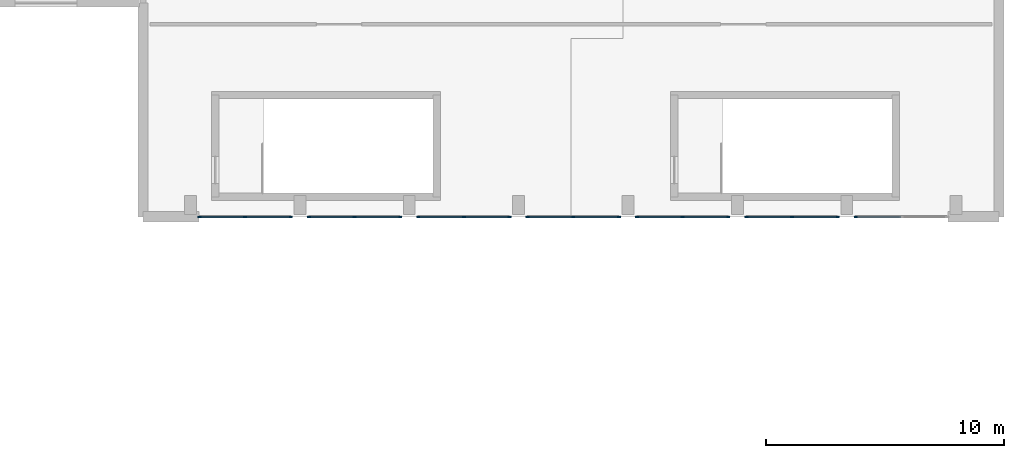
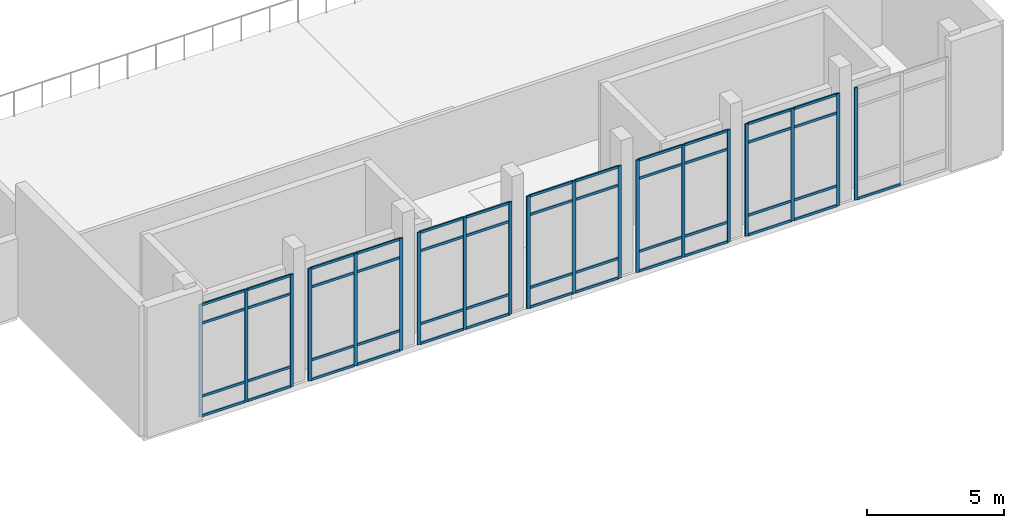
# One storey, part 23 of 54: 68 members, 7 elements without a shape of their own.
"""IFC4 building model written with IfcOpenShell, lengths in metres."""

from ifc_helpers import new_model, si_unit, direction, frame, origin, origin_2d, place, context, subcontext, project, spatial, rectangle, extrude, material, layer, layer_set, material_profile, profile_set, type_object, element, aggregate, save


model = new_model("IFC4")

# Units and contexts
model_context = context("Model", 3, precision=1e-05, world=origin(), true_north=direction((0.0, 1.0)))
body_context = subcontext(model_context, "Body", "Model", "MODEL_VIEW")
ifc_project = project(units=[si_unit("LENGTHUNIT", "METRE"), si_unit("AREAUNIT", "SQUARE_METRE"), si_unit("VOLUMEUNIT", "CUBIC_METRE"), si_unit("PLANEANGLEUNIT", "RADIAN"), si_unit("MASSUNIT", "GRAM", prefix="KILO")], contexts=[model_context])

# Site, building, storey
site_placement = place(None, origin())
site = spatial("IfcSite", under=ifc_project, at=site_placement, CompositionType="ELEMENT")
building_placement = place(site_placement, origin())
building = spatial("IfcBuilding", under=site, at=building_placement, Name="Tlacozan Convention Centre", CompositionType="ELEMENT")
storey_placement = place(building_placement, frame((0.0, 0.0, 11.39990234375)))
storey = spatial("IfcBuildingStorey", under=building, at=storey_placement, Name="L02", CompositionType="ELEMENT", Elevation=11.39990234375)

# Curtain wall, members
ifc_material = material(Name="Dark Bronze Anodised Aluminium", Category="aluminium")
ifc_layer = layer(ifc_material, 0.139892578125)
ifc_layer_set = layer_set([ifc_layer], Name="Dark Bronze Anodised Aluminium")
curtain_wall_type = type_object("IfcCurtainWallType", Name="Plenary Foyer L02 Curtain Wall CW12", PredefinedType="NOTDEFINED", material=ifc_layer_set)
curtain_wall_1_placement = place(storey_placement, origin())
curtain_wall_1 = element("IfcCurtainWall", 1, at=curtain_wall_1_placement, inside=storey, type_object=curtain_wall_type, Name="L02 CW-12 Run 142", PredefinedType="NOTDEFINED")
ifc_material_profile_1 = material_profile(ifc_material, rectangle(XDim=0.06005859375, YDim=0.139892578125, at=origin_2d()), Name="ALU 60x140")
ifc_profile_set_1 = profile_set([ifc_material_profile_1], Name="Dark Bronze Anodised Aluminium")
member_type_1 = type_object("IfcMemberType", Name="Curtain Wall Light Mullion 60x140", PredefinedType="MULLION", material=ifc_profile_set_1)
member_1_placement = place(storey_placement, frame((146.3798828125, 18.0, 0.0), z_axis=(0.0, 0.0, 1.0), x_axis=(0.0, 1.0, 0.0)))
member_1 = element("IfcMember", 2, at=member_1_placement, type_object=member_type_1, Name="CW-12 mullion 1", PredefinedType="MULLION", context=body_context, shape_type="SweptSolid", body=[
    extrude(rectangle(XDim=0.06005859375, YDim=0.139892578125, at=origin_2d()), origin(), (0.0, 0.0, 1.0), 5.0),
])
member_2_placement = place(storey_placement, frame((148.300048828125, 18.0, 0.0), z_axis=(0.0, 0.0, 1.0), x_axis=(0.0, 1.0, 0.0)))
member_2 = element("IfcMember", 3, at=member_2_placement, type_object=member_type_1, Name="CW-12 mullion 2", PredefinedType="MULLION", context=body_context, shape_type="SweptSolid", body=[
    extrude(rectangle(XDim=0.06005859375, YDim=0.139892578125, at=origin_2d()), origin(), (0.0, 0.0, 1.0), 5.0),
])
member_3_placement = place(storey_placement, frame((150.219970703125, 18.0, 0.0), z_axis=(0.0, 0.0, 1.0), x_axis=(0.0, 1.0, 0.0)))
member_3 = element("IfcMember", 4, at=member_3_placement, type_object=member_type_1, Name="CW-12 mullion 3", PredefinedType="MULLION", context=body_context, shape_type="SweptSolid", body=[
    extrude(rectangle(XDim=0.06005859375, YDim=0.139892578125, at=origin_2d()), origin(), (0.0, 0.0, 1.0), 5.0),
])

curtain_wall_2_placement = place(storey_placement, origin())
curtain_wall_2 = element("IfcCurtainWall", 5, at=curtain_wall_2_placement, inside=storey, type_object=curtain_wall_type, Name="L02 CW-12 Run 144", PredefinedType="NOTDEFINED")
member_4_placement = place(storey_placement, frame((150.97998046875, 18.0, 0.0), z_axis=(0.0, 0.0, 1.0), x_axis=(0.0, 1.0, 0.0)))
member_4 = element("IfcMember", 6, at=member_4_placement, type_object=member_type_1, Name="CW-12 mullion 1", PredefinedType="MULLION", context=body_context, shape_type="SweptSolid", body=[
    extrude(rectangle(XDim=0.06005859375, YDim=0.139892578125, at=origin_2d()), origin(), (0.0, 0.0, 1.0), 5.0),
])
member_5_placement = place(storey_placement, frame((152.89990234375, 18.0, 0.0), z_axis=(0.0, 0.0, 1.0), x_axis=(0.0, 1.0, 0.0)))
member_5 = element("IfcMember", 7, at=member_5_placement, type_object=member_type_1, Name="CW-12 mullion 2", PredefinedType="MULLION", context=body_context, shape_type="SweptSolid", body=[
    extrude(rectangle(XDim=0.06005859375, YDim=0.139892578125, at=origin_2d()), origin(), (0.0, 0.0, 1.0), 5.0),
])
member_6_placement = place(storey_placement, frame((154.820068359375, 18.0, 0.0), z_axis=(0.0, 0.0, 1.0), x_axis=(0.0, 1.0, 0.0)))
member_6 = element("IfcMember", 8, at=member_6_placement, type_object=member_type_1, Name="CW-12 mullion 3", PredefinedType="MULLION", context=body_context, shape_type="SweptSolid", body=[
    extrude(rectangle(XDim=0.06005859375, YDim=0.139892578125, at=origin_2d()), origin(), (0.0, 0.0, 1.0), 5.0),
])

curtain_wall_3_placement = place(storey_placement, origin())
curtain_wall_3 = element("IfcCurtainWall", 9, at=curtain_wall_3_placement, inside=storey, type_object=curtain_wall_type, Name="L02 CW-12 Run 146", PredefinedType="NOTDEFINED")
member_7_placement = place(storey_placement, frame((155.580078125, 18.0, 0.0), z_axis=(0.0, 0.0, 1.0), x_axis=(0.0, 1.0, 0.0)))
member_7 = element("IfcMember", 10, at=member_7_placement, type_object=member_type_1, Name="CW-12 mullion 1", PredefinedType="MULLION", context=body_context, shape_type="SweptSolid", body=[
    extrude(rectangle(XDim=0.06005859375, YDim=0.139892578125, at=origin_2d()), origin(), (0.0, 0.0, 1.0), 5.0),
])
member_8_placement = place(storey_placement, frame((157.5, 18.0, 0.0), z_axis=(0.0, 0.0, 1.0), x_axis=(0.0, 1.0, 0.0)))
member_8 = element("IfcMember", 11, at=member_8_placement, type_object=member_type_1, Name="CW-12 mullion 2", PredefinedType="MULLION", context=body_context, shape_type="SweptSolid", body=[
    extrude(rectangle(XDim=0.06005859375, YDim=0.139892578125, at=origin_2d()), origin(), (0.0, 0.0, 1.0), 5.0),
])
member_9_placement = place(storey_placement, frame((159.419921875, 18.0, 0.0), z_axis=(0.0, 0.0, 1.0), x_axis=(0.0, 1.0, 0.0)))
member_9 = element("IfcMember", 12, at=member_9_placement, type_object=member_type_1, Name="CW-12 mullion 3", PredefinedType="MULLION", context=body_context, shape_type="SweptSolid", body=[
    extrude(rectangle(XDim=0.06005859375, YDim=0.139892578125, at=origin_2d()), origin(), (0.0, 0.0, 1.0), 5.0),
])

curtain_wall_4_placement = place(storey_placement, origin())
curtain_wall_4 = element("IfcCurtainWall", 13, at=curtain_wall_4_placement, inside=storey, type_object=curtain_wall_type, Name="L02 CW-12 Run 148", PredefinedType="NOTDEFINED")
member_10_placement = place(storey_placement, frame((160.179931640625, 18.0, 0.0), z_axis=(0.0, 0.0, 1.0), x_axis=(0.0, 1.0, 0.0)))
member_10 = element("IfcMember", 14, at=member_10_placement, type_object=member_type_1, Name="CW-12 mullion 1", PredefinedType="MULLION", context=body_context, shape_type="SweptSolid", body=[
    extrude(rectangle(XDim=0.06005859375, YDim=0.139892578125, at=origin_2d()), origin(), (0.0, 0.0, 1.0), 5.0),
])
member_11_placement = place(storey_placement, frame((162.10009765625, 18.0, 0.0), z_axis=(0.0, 0.0, 1.0), x_axis=(0.0, 1.0, 0.0)))
member_11 = element("IfcMember", 15, at=member_11_placement, type_object=member_type_1, Name="CW-12 mullion 2", PredefinedType="MULLION", context=body_context, shape_type="SweptSolid", body=[
    extrude(rectangle(XDim=0.06005859375, YDim=0.139892578125, at=origin_2d()), origin(), (0.0, 0.0, 1.0), 5.0),
])
member_12_placement = place(storey_placement, frame((164.02001953125, 18.0, 0.0), z_axis=(0.0, 0.0, 1.0), x_axis=(0.0, 1.0, 0.0)))
member_12 = element("IfcMember", 16, at=member_12_placement, type_object=member_type_1, Name="CW-12 mullion 3", PredefinedType="MULLION", context=body_context, shape_type="SweptSolid", body=[
    extrude(rectangle(XDim=0.06005859375, YDim=0.139892578125, at=origin_2d()), origin(), (0.0, 0.0, 1.0), 5.0),
])

curtain_wall_5_placement = place(storey_placement, origin())
curtain_wall_5 = element("IfcCurtainWall", 17, at=curtain_wall_5_placement, inside=storey, type_object=curtain_wall_type, Name="L02 CW-12 Run 150", PredefinedType="NOTDEFINED")
member_13_placement = place(storey_placement, frame((164.780029296875, 18.0, 0.0), z_axis=(0.0, 0.0, 1.0), x_axis=(0.0, 1.0, 0.0)))
member_13 = element("IfcMember", 18, at=member_13_placement, type_object=member_type_1, Name="CW-12 mullion 1", PredefinedType="MULLION", context=body_context, shape_type="SweptSolid", body=[
    extrude(rectangle(XDim=0.06005859375, YDim=0.139892578125, at=origin_2d()), origin(), (0.0, 0.0, 1.0), 5.0),
])
member_14_placement = place(storey_placement, frame((166.699951171875, 18.0, 0.0), z_axis=(0.0, 0.0, 1.0), x_axis=(0.0, 1.0, 0.0)))
member_14 = element("IfcMember", 19, at=member_14_placement, type_object=member_type_1, Name="CW-12 mullion 2", PredefinedType="MULLION", context=body_context, shape_type="SweptSolid", body=[
    extrude(rectangle(XDim=0.06005859375, YDim=0.139892578125, at=origin_2d()), origin(), (0.0, 0.0, 1.0), 5.0),
])
member_15_placement = place(storey_placement, frame((168.6201171875, 18.0, 0.0), z_axis=(0.0, 0.0, 1.0), x_axis=(0.0, 1.0, 0.0)))
member_15 = element("IfcMember", 20, at=member_15_placement, type_object=member_type_1, Name="CW-12 mullion 3", PredefinedType="MULLION", context=body_context, shape_type="SweptSolid", body=[
    extrude(rectangle(XDim=0.06005859375, YDim=0.139892578125, at=origin_2d()), origin(), (0.0, 0.0, 1.0), 5.0),
])

curtain_wall_6_placement = place(storey_placement, origin())
curtain_wall_6 = element("IfcCurtainWall", 21, at=curtain_wall_6_placement, inside=storey, type_object=curtain_wall_type, Name="L02 CW-12 Run 152", PredefinedType="NOTDEFINED")
member_16_placement = place(storey_placement, frame((169.3798828125, 18.0, 0.0), z_axis=(0.0, 0.0, 1.0), x_axis=(0.0, 1.0, 0.0)))
member_16 = element("IfcMember", 22, at=member_16_placement, type_object=member_type_1, Name="CW-12 mullion 1", PredefinedType="MULLION", context=body_context, shape_type="SweptSolid", body=[
    extrude(rectangle(XDim=0.06005859375, YDim=0.139892578125, at=origin_2d()), origin(), (0.0, 0.0, 1.0), 5.0),
])
member_17_placement = place(storey_placement, frame((171.300048828125, 18.0, 0.0), z_axis=(0.0, 0.0, 1.0), x_axis=(0.0, 1.0, 0.0)))
member_17 = element("IfcMember", 23, at=member_17_placement, type_object=member_type_1, Name="CW-12 mullion 2", PredefinedType="MULLION", context=body_context, shape_type="SweptSolid", body=[
    extrude(rectangle(XDim=0.06005859375, YDim=0.139892578125, at=origin_2d()), origin(), (0.0, 0.0, 1.0), 5.0),
])
member_18_placement = place(storey_placement, frame((173.219970703125, 18.0, 0.0), z_axis=(0.0, 0.0, 1.0), x_axis=(0.0, 1.0, 0.0)))
member_18 = element("IfcMember", 24, at=member_18_placement, type_object=member_type_1, Name="CW-12 mullion 3", PredefinedType="MULLION", context=body_context, shape_type="SweptSolid", body=[
    extrude(rectangle(XDim=0.06005859375, YDim=0.139892578125, at=origin_2d()), origin(), (0.0, 0.0, 1.0), 5.0),
])

# Curtain wall, member
curtain_wall_7_placement = place(storey_placement, origin())
curtain_wall_7 = element("IfcCurtainWall", 25, at=curtain_wall_7_placement, inside=storey, type_object=curtain_wall_type, Name="L02 CW-12 Run 154", PredefinedType="NOTDEFINED")
member_19_placement = place(storey_placement, frame((173.97998046875, 18.0, 0.0), z_axis=(0.0, 0.0, 1.0), x_axis=(0.0, 1.0, 0.0)))
member_19 = element("IfcMember", 26, at=member_19_placement, type_object=member_type_1, Name="CW-12 mullion 1", PredefinedType="MULLION", context=body_context, shape_type="SweptSolid", body=[
    extrude(rectangle(XDim=0.06005859375, YDim=0.139892578125, at=origin_2d()), origin(), (0.0, 0.0, 1.0), 5.0),
])

# Member
ifc_material_profile_2 = material_profile(ifc_material, rectangle(XDim=0.06005859375, YDim=0.110107421875, at=origin_2d()), Name="ALU 60x110")
ifc_profile_set_2 = profile_set([ifc_material_profile_2], Name="Dark Bronze Anodised Aluminium")
member_type_2 = type_object("IfcMemberType", Name="Curtain Wall Light Transom 60x110", PredefinedType="USERDEFINED", material=ifc_profile_set_2)
member_20_placement = place(storey_placement, frame((146.409912109375, 18.0, 0.030029296875), z_axis=(1.0, 0.0, 0.0), x_axis=(0.0, 1.0, 0.0)))
member_20 = element("IfcMember", 27, at=member_20_placement, type_object=member_type_2, Name="CW-12 transom 1.1", ObjectType="TRANSOM", PredefinedType="USERDEFINED", context=body_context, shape_type="SweptSolid", body=[
    extrude(rectangle(XDim=0.06005859375, YDim=0.110107421875, at=origin_2d()), origin(), (0.0, 0.0, 1.0), 1.860107421875),
])

member_21_placement = place(storey_placement, frame((146.409912109375, 18.0, 0.900146484375), z_axis=(1.0, 0.0, 0.0), x_axis=(0.0, 1.0, 0.0)))
member_21 = element("IfcMember", 28, at=member_21_placement, type_object=member_type_2, Name="CW-12 transom 1.2", ObjectType="TRANSOM", PredefinedType="USERDEFINED", context=body_context, shape_type="SweptSolid", body=[
    extrude(rectangle(XDim=0.06005859375, YDim=0.110107421875, at=origin_2d()), origin(), (0.0, 0.0, 1.0), 1.860107421875),
])

member_22_placement = place(storey_placement, frame((146.409912109375, 18.0, 4.150146484375), z_axis=(1.0, 0.0, 0.0), x_axis=(0.0, 1.0, 0.0)))
member_22 = element("IfcMember", 29, at=member_22_placement, type_object=member_type_2, Name="CW-12 transom 1.3", ObjectType="TRANSOM", PredefinedType="USERDEFINED", context=body_context, shape_type="SweptSolid", body=[
    extrude(rectangle(XDim=0.06005859375, YDim=0.110107421875, at=origin_2d()), origin(), (0.0, 0.0, 1.0), 1.860107421875),
])

member_23_placement = place(storey_placement, frame((146.409912109375, 18.0, 4.97021484375), z_axis=(1.0, 0.0, 0.0), x_axis=(0.0, 1.0, 0.0)))
member_23 = element("IfcMember", 30, at=member_23_placement, type_object=member_type_2, Name="CW-12 transom 1.4", ObjectType="TRANSOM", PredefinedType="USERDEFINED", context=body_context, shape_type="SweptSolid", body=[
    extrude(rectangle(XDim=0.06005859375, YDim=0.110107421875, at=origin_2d()), origin(), (0.0, 0.0, 1.0), 1.860107421875),
])

member_24_placement = place(storey_placement, frame((148.330078125, 18.0, 0.030029296875), z_axis=(1.0, 0.0, 0.0), x_axis=(0.0, 1.0, 0.0)))
member_24 = element("IfcMember", 31, at=member_24_placement, type_object=member_type_2, Name="CW-12 transom 2.1", ObjectType="TRANSOM", PredefinedType="USERDEFINED", context=body_context, shape_type="SweptSolid", body=[
    extrude(rectangle(XDim=0.06005859375, YDim=0.110107421875, at=origin_2d()), origin(), (0.0, 0.0, 1.0), 1.85986328125),
])

member_25_placement = place(storey_placement, frame((148.330078125, 18.0, 0.900146484375), z_axis=(1.0, 0.0, 0.0), x_axis=(0.0, 1.0, 0.0)))
member_25 = element("IfcMember", 32, at=member_25_placement, type_object=member_type_2, Name="CW-12 transom 2.2", ObjectType="TRANSOM", PredefinedType="USERDEFINED", context=body_context, shape_type="SweptSolid", body=[
    extrude(rectangle(XDim=0.06005859375, YDim=0.110107421875, at=origin_2d()), origin(), (0.0, 0.0, 1.0), 1.85986328125),
])

member_26_placement = place(storey_placement, frame((148.330078125, 18.0, 4.150146484375), z_axis=(1.0, 0.0, 0.0), x_axis=(0.0, 1.0, 0.0)))
member_26 = element("IfcMember", 33, at=member_26_placement, type_object=member_type_2, Name="CW-12 transom 2.3", ObjectType="TRANSOM", PredefinedType="USERDEFINED", context=body_context, shape_type="SweptSolid", body=[
    extrude(rectangle(XDim=0.06005859375, YDim=0.110107421875, at=origin_2d()), origin(), (0.0, 0.0, 1.0), 1.85986328125),
])

member_27_placement = place(storey_placement, frame((148.330078125, 18.0, 4.97021484375), z_axis=(1.0, 0.0, 0.0), x_axis=(0.0, 1.0, 0.0)))
member_27 = element("IfcMember", 34, at=member_27_placement, type_object=member_type_2, Name="CW-12 transom 2.4", ObjectType="TRANSOM", PredefinedType="USERDEFINED", context=body_context, shape_type="SweptSolid", body=[
    extrude(rectangle(XDim=0.06005859375, YDim=0.110107421875, at=origin_2d()), origin(), (0.0, 0.0, 1.0), 1.85986328125),
])

aggregate(curtain_wall_1, [member_1, member_2, member_3, member_20, member_21, member_22, member_23, member_24, member_25, member_26, member_27])

member_28_placement = place(storey_placement, frame((151.010009765625, 18.0, 0.030029296875), z_axis=(1.0, 0.0, 0.0), x_axis=(0.0, 1.0, 0.0)))
member_28 = element("IfcMember", 35, at=member_28_placement, type_object=member_type_2, Name="CW-12 transom 1.1", ObjectType="TRANSOM", PredefinedType="USERDEFINED", context=body_context, shape_type="SweptSolid", body=[
    extrude(rectangle(XDim=0.06005859375, YDim=0.110107421875, at=origin_2d()), origin(), (0.0, 0.0, 1.0), 1.860107421875),
])

member_29_placement = place(storey_placement, frame((151.010009765625, 18.0, 0.900146484375), z_axis=(1.0, 0.0, 0.0), x_axis=(0.0, 1.0, 0.0)))
member_29 = element("IfcMember", 36, at=member_29_placement, type_object=member_type_2, Name="CW-12 transom 1.2", ObjectType="TRANSOM", PredefinedType="USERDEFINED", context=body_context, shape_type="SweptSolid", body=[
    extrude(rectangle(XDim=0.06005859375, YDim=0.110107421875, at=origin_2d()), origin(), (0.0, 0.0, 1.0), 1.860107421875),
])

member_30_placement = place(storey_placement, frame((151.010009765625, 18.0, 4.150146484375), z_axis=(1.0, 0.0, 0.0), x_axis=(0.0, 1.0, 0.0)))
member_30 = element("IfcMember", 37, at=member_30_placement, type_object=member_type_2, Name="CW-12 transom 1.3", ObjectType="TRANSOM", PredefinedType="USERDEFINED", context=body_context, shape_type="SweptSolid", body=[
    extrude(rectangle(XDim=0.06005859375, YDim=0.110107421875, at=origin_2d()), origin(), (0.0, 0.0, 1.0), 1.860107421875),
])

member_31_placement = place(storey_placement, frame((151.010009765625, 18.0, 4.97021484375), z_axis=(1.0, 0.0, 0.0), x_axis=(0.0, 1.0, 0.0)))
member_31 = element("IfcMember", 38, at=member_31_placement, type_object=member_type_2, Name="CW-12 transom 1.4", ObjectType="TRANSOM", PredefinedType="USERDEFINED", context=body_context, shape_type="SweptSolid", body=[
    extrude(rectangle(XDim=0.06005859375, YDim=0.110107421875, at=origin_2d()), origin(), (0.0, 0.0, 1.0), 1.860107421875),
])

member_32_placement = place(storey_placement, frame((152.929931640625, 18.0, 0.030029296875), z_axis=(1.0, 0.0, 0.0), x_axis=(0.0, 1.0, 0.0)))
member_32 = element("IfcMember", 39, at=member_32_placement, type_object=member_type_2, Name="CW-12 transom 2.1", ObjectType="TRANSOM", PredefinedType="USERDEFINED", context=body_context, shape_type="SweptSolid", body=[
    extrude(rectangle(XDim=0.06005859375, YDim=0.110107421875, at=origin_2d()), origin(), (0.0, 0.0, 1.0), 1.860107421875),
])

member_33_placement = place(storey_placement, frame((152.929931640625, 18.0, 0.900146484375), z_axis=(1.0, 0.0, 0.0), x_axis=(0.0, 1.0, 0.0)))
member_33 = element("IfcMember", 40, at=member_33_placement, type_object=member_type_2, Name="CW-12 transom 2.2", ObjectType="TRANSOM", PredefinedType="USERDEFINED", context=body_context, shape_type="SweptSolid", body=[
    extrude(rectangle(XDim=0.06005859375, YDim=0.110107421875, at=origin_2d()), origin(), (0.0, 0.0, 1.0), 1.860107421875),
])

member_34_placement = place(storey_placement, frame((152.929931640625, 18.0, 4.150146484375), z_axis=(1.0, 0.0, 0.0), x_axis=(0.0, 1.0, 0.0)))
member_34 = element("IfcMember", 41, at=member_34_placement, type_object=member_type_2, Name="CW-12 transom 2.3", ObjectType="TRANSOM", PredefinedType="USERDEFINED", context=body_context, shape_type="SweptSolid", body=[
    extrude(rectangle(XDim=0.06005859375, YDim=0.110107421875, at=origin_2d()), origin(), (0.0, 0.0, 1.0), 1.860107421875),
])

member_35_placement = place(storey_placement, frame((152.929931640625, 18.0, 4.97021484375), z_axis=(1.0, 0.0, 0.0), x_axis=(0.0, 1.0, 0.0)))
member_35 = element("IfcMember", 42, at=member_35_placement, type_object=member_type_2, Name="CW-12 transom 2.4", ObjectType="TRANSOM", PredefinedType="USERDEFINED", context=body_context, shape_type="SweptSolid", body=[
    extrude(rectangle(XDim=0.06005859375, YDim=0.110107421875, at=origin_2d()), origin(), (0.0, 0.0, 1.0), 1.860107421875),
])

aggregate(curtain_wall_2, [member_4, member_5, member_6, member_28, member_29, member_30, member_31, member_32, member_33, member_34, member_35])

member_36_placement = place(storey_placement, frame((155.610107421875, 18.0, 0.030029296875), z_axis=(1.0, 0.0, 0.0), x_axis=(0.0, 1.0, 0.0)))
member_36 = element("IfcMember", 43, at=member_36_placement, type_object=member_type_2, Name="CW-12 transom 1.1", ObjectType="TRANSOM", PredefinedType="USERDEFINED", context=body_context, shape_type="SweptSolid", body=[
    extrude(rectangle(XDim=0.06005859375, YDim=0.110107421875, at=origin_2d()), origin(), (0.0, 0.0, 1.0), 1.85986328125),
])

member_37_placement = place(storey_placement, frame((155.610107421875, 18.0, 0.900146484375), z_axis=(1.0, 0.0, 0.0), x_axis=(0.0, 1.0, 0.0)))
member_37 = element("IfcMember", 44, at=member_37_placement, type_object=member_type_2, Name="CW-12 transom 1.2", ObjectType="TRANSOM", PredefinedType="USERDEFINED", context=body_context, shape_type="SweptSolid", body=[
    extrude(rectangle(XDim=0.06005859375, YDim=0.110107421875, at=origin_2d()), origin(), (0.0, 0.0, 1.0), 1.85986328125),
])

member_38_placement = place(storey_placement, frame((155.610107421875, 18.0, 4.150146484375), z_axis=(1.0, 0.0, 0.0), x_axis=(0.0, 1.0, 0.0)))
member_38 = element("IfcMember", 45, at=member_38_placement, type_object=member_type_2, Name="CW-12 transom 1.3", ObjectType="TRANSOM", PredefinedType="USERDEFINED", context=body_context, shape_type="SweptSolid", body=[
    extrude(rectangle(XDim=0.06005859375, YDim=0.110107421875, at=origin_2d()), origin(), (0.0, 0.0, 1.0), 1.85986328125),
])

member_39_placement = place(storey_placement, frame((155.610107421875, 18.0, 4.97021484375), z_axis=(1.0, 0.0, 0.0), x_axis=(0.0, 1.0, 0.0)))
member_39 = element("IfcMember", 46, at=member_39_placement, type_object=member_type_2, Name="CW-12 transom 1.4", ObjectType="TRANSOM", PredefinedType="USERDEFINED", context=body_context, shape_type="SweptSolid", body=[
    extrude(rectangle(XDim=0.06005859375, YDim=0.110107421875, at=origin_2d()), origin(), (0.0, 0.0, 1.0), 1.85986328125),
])

member_40_placement = place(storey_placement, frame((157.530029296875, 18.0, 0.030029296875), z_axis=(1.0, 0.0, 0.0), x_axis=(0.0, 1.0, 0.0)))
member_40 = element("IfcMember", 47, at=member_40_placement, type_object=member_type_2, Name="CW-12 transom 2.1", ObjectType="TRANSOM", PredefinedType="USERDEFINED", context=body_context, shape_type="SweptSolid", body=[
    extrude(rectangle(XDim=0.06005859375, YDim=0.110107421875, at=origin_2d()), origin(), (0.0, 0.0, 1.0), 1.85986328125),
])

member_41_placement = place(storey_placement, frame((157.530029296875, 18.0, 0.900146484375), z_axis=(1.0, 0.0, 0.0), x_axis=(0.0, 1.0, 0.0)))
member_41 = element("IfcMember", 48, at=member_41_placement, type_object=member_type_2, Name="CW-12 transom 2.2", ObjectType="TRANSOM", PredefinedType="USERDEFINED", context=body_context, shape_type="SweptSolid", body=[
    extrude(rectangle(XDim=0.06005859375, YDim=0.110107421875, at=origin_2d()), origin(), (0.0, 0.0, 1.0), 1.85986328125),
])

member_42_placement = place(storey_placement, frame((157.530029296875, 18.0, 4.150146484375), z_axis=(1.0, 0.0, 0.0), x_axis=(0.0, 1.0, 0.0)))
member_42 = element("IfcMember", 49, at=member_42_placement, type_object=member_type_2, Name="CW-12 transom 2.3", ObjectType="TRANSOM", PredefinedType="USERDEFINED", context=body_context, shape_type="SweptSolid", body=[
    extrude(rectangle(XDim=0.06005859375, YDim=0.110107421875, at=origin_2d()), origin(), (0.0, 0.0, 1.0), 1.85986328125),
])

member_43_placement = place(storey_placement, frame((157.530029296875, 18.0, 4.97021484375), z_axis=(1.0, 0.0, 0.0), x_axis=(0.0, 1.0, 0.0)))
member_43 = element("IfcMember", 50, at=member_43_placement, type_object=member_type_2, Name="CW-12 transom 2.4", ObjectType="TRANSOM", PredefinedType="USERDEFINED", context=body_context, shape_type="SweptSolid", body=[
    extrude(rectangle(XDim=0.06005859375, YDim=0.110107421875, at=origin_2d()), origin(), (0.0, 0.0, 1.0), 1.85986328125),
])

aggregate(curtain_wall_3, [member_7, member_8, member_9, member_36, member_37, member_38, member_39, member_40, member_41, member_42, member_43])

member_44_placement = place(storey_placement, frame((160.2099609375, 18.0, 0.030029296875), z_axis=(1.0, 0.0, 0.0), x_axis=(0.0, 1.0, 0.0)))
member_44 = element("IfcMember", 51, at=member_44_placement, type_object=member_type_2, Name="CW-12 transom 1.1", ObjectType="TRANSOM", PredefinedType="USERDEFINED", context=body_context, shape_type="SweptSolid", body=[
    extrude(rectangle(XDim=0.06005859375, YDim=0.110107421875, at=origin_2d()), origin(), (0.0, 0.0, 1.0), 1.860107421875),
])

member_45_placement = place(storey_placement, frame((160.2099609375, 18.0, 0.900146484375), z_axis=(1.0, 0.0, 0.0), x_axis=(0.0, 1.0, 0.0)))
member_45 = element("IfcMember", 52, at=member_45_placement, type_object=member_type_2, Name="CW-12 transom 1.2", ObjectType="TRANSOM", PredefinedType="USERDEFINED", context=body_context, shape_type="SweptSolid", body=[
    extrude(rectangle(XDim=0.06005859375, YDim=0.110107421875, at=origin_2d()), origin(), (0.0, 0.0, 1.0), 1.860107421875),
])

member_46_placement = place(storey_placement, frame((160.2099609375, 18.0, 4.150146484375), z_axis=(1.0, 0.0, 0.0), x_axis=(0.0, 1.0, 0.0)))
member_46 = element("IfcMember", 53, at=member_46_placement, type_object=member_type_2, Name="CW-12 transom 1.3", ObjectType="TRANSOM", PredefinedType="USERDEFINED", context=body_context, shape_type="SweptSolid", body=[
    extrude(rectangle(XDim=0.06005859375, YDim=0.110107421875, at=origin_2d()), origin(), (0.0, 0.0, 1.0), 1.860107421875),
])

member_47_placement = place(storey_placement, frame((160.2099609375, 18.0, 4.97021484375), z_axis=(1.0, 0.0, 0.0), x_axis=(0.0, 1.0, 0.0)))
member_47 = element("IfcMember", 54, at=member_47_placement, type_object=member_type_2, Name="CW-12 transom 1.4", ObjectType="TRANSOM", PredefinedType="USERDEFINED", context=body_context, shape_type="SweptSolid", body=[
    extrude(rectangle(XDim=0.06005859375, YDim=0.110107421875, at=origin_2d()), origin(), (0.0, 0.0, 1.0), 1.860107421875),
])

member_48_placement = place(storey_placement, frame((162.1298828125, 18.0, 0.030029296875), z_axis=(1.0, 0.0, 0.0), x_axis=(0.0, 1.0, 0.0)))
member_48 = element("IfcMember", 55, at=member_48_placement, type_object=member_type_2, Name="CW-12 transom 2.1", ObjectType="TRANSOM", PredefinedType="USERDEFINED", context=body_context, shape_type="SweptSolid", body=[
    extrude(rectangle(XDim=0.06005859375, YDim=0.110107421875, at=origin_2d()), origin(), (0.0, 0.0, 1.0), 1.860107421875),
])

member_49_placement = place(storey_placement, frame((162.1298828125, 18.0, 0.900146484375), z_axis=(1.0, 0.0, 0.0), x_axis=(0.0, 1.0, 0.0)))
member_49 = element("IfcMember", 56, at=member_49_placement, type_object=member_type_2, Name="CW-12 transom 2.2", ObjectType="TRANSOM", PredefinedType="USERDEFINED", context=body_context, shape_type="SweptSolid", body=[
    extrude(rectangle(XDim=0.06005859375, YDim=0.110107421875, at=origin_2d()), origin(), (0.0, 0.0, 1.0), 1.860107421875),
])

member_50_placement = place(storey_placement, frame((162.1298828125, 18.0, 4.150146484375), z_axis=(1.0, 0.0, 0.0), x_axis=(0.0, 1.0, 0.0)))
member_50 = element("IfcMember", 57, at=member_50_placement, type_object=member_type_2, Name="CW-12 transom 2.3", ObjectType="TRANSOM", PredefinedType="USERDEFINED", context=body_context, shape_type="SweptSolid", body=[
    extrude(rectangle(XDim=0.06005859375, YDim=0.110107421875, at=origin_2d()), origin(), (0.0, 0.0, 1.0), 1.860107421875),
])

member_51_placement = place(storey_placement, frame((162.1298828125, 18.0, 4.97021484375), z_axis=(1.0, 0.0, 0.0), x_axis=(0.0, 1.0, 0.0)))
member_51 = element("IfcMember", 58, at=member_51_placement, type_object=member_type_2, Name="CW-12 transom 2.4", ObjectType="TRANSOM", PredefinedType="USERDEFINED", context=body_context, shape_type="SweptSolid", body=[
    extrude(rectangle(XDim=0.06005859375, YDim=0.110107421875, at=origin_2d()), origin(), (0.0, 0.0, 1.0), 1.860107421875),
])

aggregate(curtain_wall_4, [member_10, member_11, member_12, member_44, member_45, member_46, member_47, member_48, member_49, member_50, member_51])

member_52_placement = place(storey_placement, frame((164.81005859375, 18.0, 0.030029296875), z_axis=(1.0, 0.0, 0.0), x_axis=(0.0, 1.0, 0.0)))
member_52 = element("IfcMember", 59, at=member_52_placement, type_object=member_type_2, Name="CW-12 transom 1.1", ObjectType="TRANSOM", PredefinedType="USERDEFINED", context=body_context, shape_type="SweptSolid", body=[
    extrude(rectangle(XDim=0.06005859375, YDim=0.110107421875, at=origin_2d()), origin(), (0.0, 0.0, 1.0), 1.85986328125),
])

member_53_placement = place(storey_placement, frame((164.81005859375, 18.0, 0.900146484375), z_axis=(1.0, 0.0, 0.0), x_axis=(0.0, 1.0, 0.0)))
member_53 = element("IfcMember", 60, at=member_53_placement, type_object=member_type_2, Name="CW-12 transom 1.2", ObjectType="TRANSOM", PredefinedType="USERDEFINED", context=body_context, shape_type="SweptSolid", body=[
    extrude(rectangle(XDim=0.06005859375, YDim=0.110107421875, at=origin_2d()), origin(), (0.0, 0.0, 1.0), 1.85986328125),
])

member_54_placement = place(storey_placement, frame((164.81005859375, 18.0, 4.150146484375), z_axis=(1.0, 0.0, 0.0), x_axis=(0.0, 1.0, 0.0)))
member_54 = element("IfcMember", 61, at=member_54_placement, type_object=member_type_2, Name="CW-12 transom 1.3", ObjectType="TRANSOM", PredefinedType="USERDEFINED", context=body_context, shape_type="SweptSolid", body=[
    extrude(rectangle(XDim=0.06005859375, YDim=0.110107421875, at=origin_2d()), origin(), (0.0, 0.0, 1.0), 1.85986328125),
])

member_55_placement = place(storey_placement, frame((164.81005859375, 18.0, 4.97021484375), z_axis=(1.0, 0.0, 0.0), x_axis=(0.0, 1.0, 0.0)))
member_55 = element("IfcMember", 62, at=member_55_placement, type_object=member_type_2, Name="CW-12 transom 1.4", ObjectType="TRANSOM", PredefinedType="USERDEFINED", context=body_context, shape_type="SweptSolid", body=[
    extrude(rectangle(XDim=0.06005859375, YDim=0.110107421875, at=origin_2d()), origin(), (0.0, 0.0, 1.0), 1.85986328125),
])

member_56_placement = place(storey_placement, frame((166.72998046875, 18.0, 0.030029296875), z_axis=(1.0, 0.0, 0.0), x_axis=(0.0, 1.0, 0.0)))
member_56 = element("IfcMember", 63, at=member_56_placement, type_object=member_type_2, Name="CW-12 transom 2.1", ObjectType="TRANSOM", PredefinedType="USERDEFINED", context=body_context, shape_type="SweptSolid", body=[
    extrude(rectangle(XDim=0.06005859375, YDim=0.110107421875, at=origin_2d()), origin(), (0.0, 0.0, 1.0), 1.860107421875),
])

member_57_placement = place(storey_placement, frame((166.72998046875, 18.0, 0.900146484375), z_axis=(1.0, 0.0, 0.0), x_axis=(0.0, 1.0, 0.0)))
member_57 = element("IfcMember", 64, at=member_57_placement, type_object=member_type_2, Name="CW-12 transom 2.2", ObjectType="TRANSOM", PredefinedType="USERDEFINED", context=body_context, shape_type="SweptSolid", body=[
    extrude(rectangle(XDim=0.06005859375, YDim=0.110107421875, at=origin_2d()), origin(), (0.0, 0.0, 1.0), 1.860107421875),
])

member_58_placement = place(storey_placement, frame((166.72998046875, 18.0, 4.150146484375), z_axis=(1.0, 0.0, 0.0), x_axis=(0.0, 1.0, 0.0)))
member_58 = element("IfcMember", 65, at=member_58_placement, type_object=member_type_2, Name="CW-12 transom 2.3", ObjectType="TRANSOM", PredefinedType="USERDEFINED", context=body_context, shape_type="SweptSolid", body=[
    extrude(rectangle(XDim=0.06005859375, YDim=0.110107421875, at=origin_2d()), origin(), (0.0, 0.0, 1.0), 1.860107421875),
])

member_59_placement = place(storey_placement, frame((166.72998046875, 18.0, 4.97021484375), z_axis=(1.0, 0.0, 0.0), x_axis=(0.0, 1.0, 0.0)))
member_59 = element("IfcMember", 66, at=member_59_placement, type_object=member_type_2, Name="CW-12 transom 2.4", ObjectType="TRANSOM", PredefinedType="USERDEFINED", context=body_context, shape_type="SweptSolid", body=[
    extrude(rectangle(XDim=0.06005859375, YDim=0.110107421875, at=origin_2d()), origin(), (0.0, 0.0, 1.0), 1.860107421875),
])

aggregate(curtain_wall_5, [member_13, member_14, member_15, member_52, member_53, member_54, member_55, member_56, member_57, member_58, member_59])

member_60_placement = place(storey_placement, frame((169.409912109375, 18.0, 0.030029296875), z_axis=(1.0, 0.0, 0.0), x_axis=(0.0, 1.0, 0.0)))
member_60 = element("IfcMember", 67, at=member_60_placement, type_object=member_type_2, Name="CW-12 transom 1.1", ObjectType="TRANSOM", PredefinedType="USERDEFINED", context=body_context, shape_type="SweptSolid", body=[
    extrude(rectangle(XDim=0.06005859375, YDim=0.110107421875, at=origin_2d()), origin(), (0.0, 0.0, 1.0), 1.860107421875),
])

member_61_placement = place(storey_placement, frame((169.409912109375, 18.0, 0.900146484375), z_axis=(1.0, 0.0, 0.0), x_axis=(0.0, 1.0, 0.0)))
member_61 = element("IfcMember", 68, at=member_61_placement, type_object=member_type_2, Name="CW-12 transom 1.2", ObjectType="TRANSOM", PredefinedType="USERDEFINED", context=body_context, shape_type="SweptSolid", body=[
    extrude(rectangle(XDim=0.06005859375, YDim=0.110107421875, at=origin_2d()), origin(), (0.0, 0.0, 1.0), 1.860107421875),
])

member_62_placement = place(storey_placement, frame((169.409912109375, 18.0, 4.150146484375), z_axis=(1.0, 0.0, 0.0), x_axis=(0.0, 1.0, 0.0)))
member_62 = element("IfcMember", 69, at=member_62_placement, type_object=member_type_2, Name="CW-12 transom 1.3", ObjectType="TRANSOM", PredefinedType="USERDEFINED", context=body_context, shape_type="SweptSolid", body=[
    extrude(rectangle(XDim=0.06005859375, YDim=0.110107421875, at=origin_2d()), origin(), (0.0, 0.0, 1.0), 1.860107421875),
])

member_63_placement = place(storey_placement, frame((169.409912109375, 18.0, 4.97021484375), z_axis=(1.0, 0.0, 0.0), x_axis=(0.0, 1.0, 0.0)))
member_63 = element("IfcMember", 70, at=member_63_placement, type_object=member_type_2, Name="CW-12 transom 1.4", ObjectType="TRANSOM", PredefinedType="USERDEFINED", context=body_context, shape_type="SweptSolid", body=[
    extrude(rectangle(XDim=0.06005859375, YDim=0.110107421875, at=origin_2d()), origin(), (0.0, 0.0, 1.0), 1.860107421875),
])

member_64_placement = place(storey_placement, frame((171.330078125, 18.0, 0.030029296875), z_axis=(1.0, 0.0, 0.0), x_axis=(0.0, 1.0, 0.0)))
member_64 = element("IfcMember", 71, at=member_64_placement, type_object=member_type_2, Name="CW-12 transom 2.1", ObjectType="TRANSOM", PredefinedType="USERDEFINED", context=body_context, shape_type="SweptSolid", body=[
    extrude(rectangle(XDim=0.06005859375, YDim=0.110107421875, at=origin_2d()), origin(), (0.0, 0.0, 1.0), 1.85986328125),
])

member_65_placement = place(storey_placement, frame((171.330078125, 18.0, 0.900146484375), z_axis=(1.0, 0.0, 0.0), x_axis=(0.0, 1.0, 0.0)))
member_65 = element("IfcMember", 72, at=member_65_placement, type_object=member_type_2, Name="CW-12 transom 2.2", ObjectType="TRANSOM", PredefinedType="USERDEFINED", context=body_context, shape_type="SweptSolid", body=[
    extrude(rectangle(XDim=0.06005859375, YDim=0.110107421875, at=origin_2d()), origin(), (0.0, 0.0, 1.0), 1.85986328125),
])

member_66_placement = place(storey_placement, frame((171.330078125, 18.0, 4.150146484375), z_axis=(1.0, 0.0, 0.0), x_axis=(0.0, 1.0, 0.0)))
member_66 = element("IfcMember", 73, at=member_66_placement, type_object=member_type_2, Name="CW-12 transom 2.3", ObjectType="TRANSOM", PredefinedType="USERDEFINED", context=body_context, shape_type="SweptSolid", body=[
    extrude(rectangle(XDim=0.06005859375, YDim=0.110107421875, at=origin_2d()), origin(), (0.0, 0.0, 1.0), 1.85986328125),
])

member_67_placement = place(storey_placement, frame((171.330078125, 18.0, 4.97021484375), z_axis=(1.0, 0.0, 0.0), x_axis=(0.0, 1.0, 0.0)))
member_67 = element("IfcMember", 74, at=member_67_placement, type_object=member_type_2, Name="CW-12 transom 2.4", ObjectType="TRANSOM", PredefinedType="USERDEFINED", context=body_context, shape_type="SweptSolid", body=[
    extrude(rectangle(XDim=0.06005859375, YDim=0.110107421875, at=origin_2d()), origin(), (0.0, 0.0, 1.0), 1.85986328125),
])

aggregate(curtain_wall_6, [member_16, member_17, member_18, member_60, member_61, member_62, member_63, member_64, member_65, member_66, member_67])

member_68_placement = place(storey_placement, frame((174.010009765625, 18.0, 0.030029296875), z_axis=(1.0, 0.0, 0.0), x_axis=(0.0, 1.0, 0.0)))
member_68 = element("IfcMember", 75, at=member_68_placement, type_object=member_type_2, Name="CW-12 transom 1.1", ObjectType="TRANSOM", PredefinedType="USERDEFINED", context=body_context, shape_type="SweptSolid", body=[
    extrude(rectangle(XDim=0.06005859375, YDim=0.110107421875, at=origin_2d()), origin(), (0.0, 0.0, 1.0), 1.860107421875),
])

aggregate(curtain_wall_7, [member_19, member_68])

save(model, "model.ifc")
